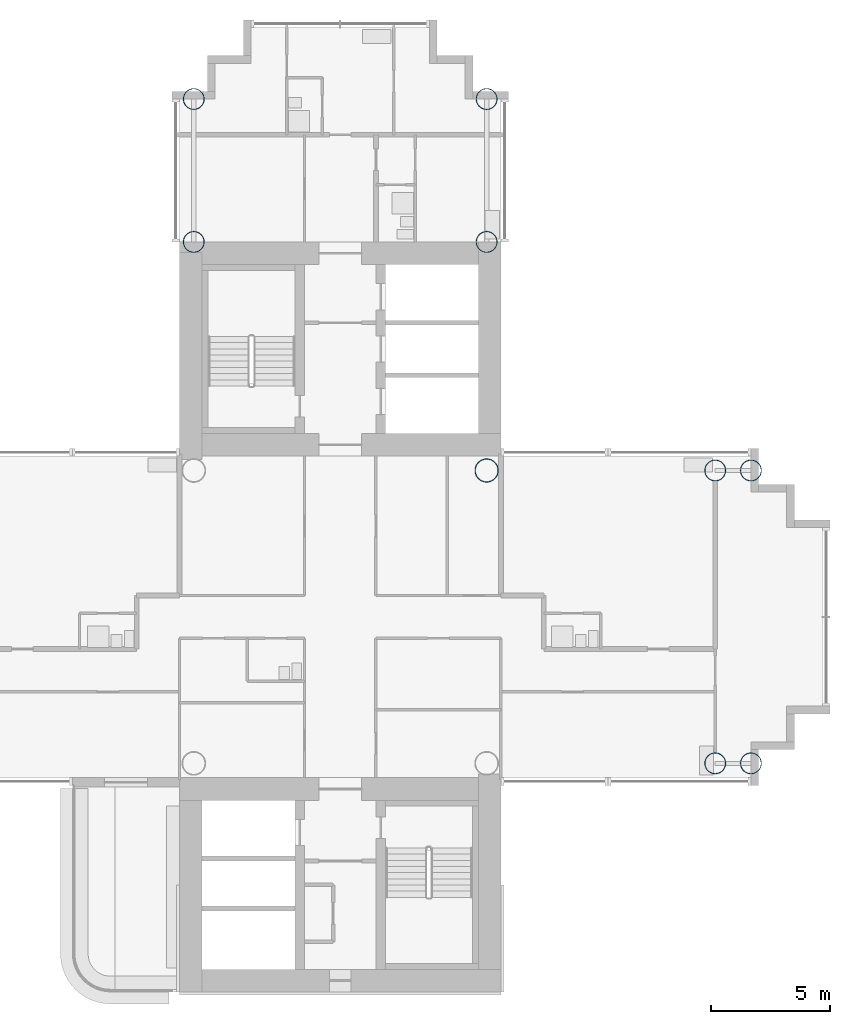
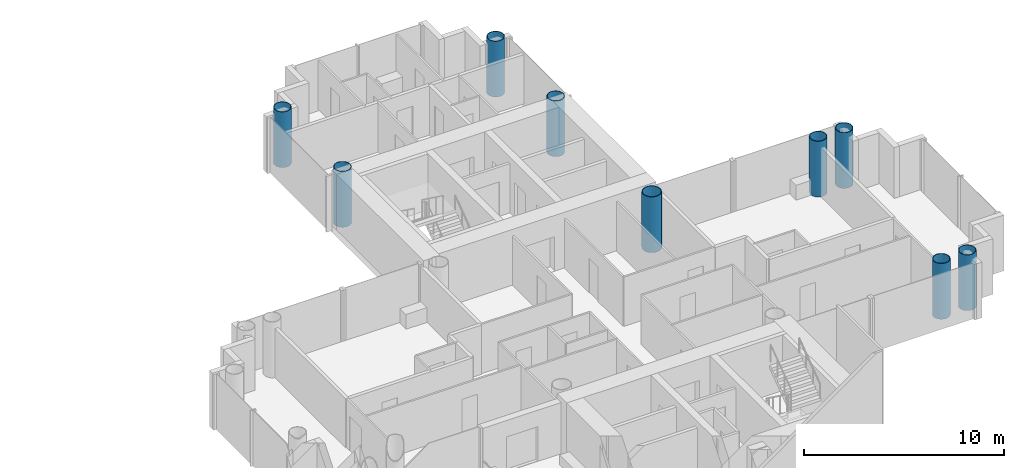
# One storey, part 2 of 21: 9 columns.
"""IFC4 building model written with IfcOpenShell, lengths in metres."""

import ifcopenshell
import ifcopenshell.guid

model = None  # the IFC model being written
_history = None  # IfcOwnerHistory: only IFC2X3 demands one
_inside = {}  # id of a spatial element -> (the spatial element, [elements in it])
_under = {}  # id of a project, library or spatial element -> (it, [spatial elements below it])
_declared = {}  # id of a project -> (the project, [libraries it declares])
_typed = {}  # id of a type object -> (the type object, [elements of that type])
_made_of = {}  # id of a material, layer set ... -> (it, [elements and type objects made of it])


def new_model(schema):
    """Start an empty IFC model of exactly this schema.

    Asked for "IFC4X3", IfcOpenShell would pick the latest addendum, in which some entities
    have other attributes; the version numbers below select the first issue.
    IFC2X3 requires an IfcOwnerHistory on every rooted entity: one is made here for all.
    """
    global model, _history
    if schema == "IFC4X3":
        model = ifcopenshell.file(schema_version=(4, 3, 0, 0))
    else:
        model = ifcopenshell.file(schema=schema)
    _inside.clear()
    _under.clear()
    _declared.clear()
    _typed.clear()
    _made_of.clear()
    _history = None
    if model.schema == "IFC2X3":
        org = make("IfcOrganization", Name="unknown")
        user = make(
            "IfcPersonAndOrganization",
            ThePerson=make("IfcPerson", FamilyName="unknown"),
            TheOrganization=org,
        )
        app = make(
            "IfcApplication",
            ApplicationDeveloper=org,
            Version="unknown",
            ApplicationFullName="unknown",
            ApplicationIdentifier="unknown",
        )
        _history = make(
            "IfcOwnerHistory",
            OwningUser=user,
            OwningApplication=app,
            ChangeAction="ADDED",
            CreationDate=0,
        )
    return model


def make(cls, **values):
    """One entity of the class cls with the attributes given. An attribute that is None is left unset."""
    return model.create_entity(
        cls, **{name: value for name, value in values.items() if value is not None}
    )


def rooted(cls, **values):
    """An entity with a GlobalId (a new one), such as an element, a storey or a relation."""
    return make(cls, GlobalId=ifcopenshell.guid.new(), OwnerHistory=_history, **values)


def si_unit(unit_type, name, prefix=None):
    """IfcSIUnit, for example si_unit("LENGTHUNIT", "METRE", prefix="MILLI")."""
    return make("IfcSIUnit", UnitType=unit_type, Prefix=prefix, Name=name)


def assignment(units):
    """IfcUnitAssignment: the units of a project."""
    return None if units is None else make("IfcUnitAssignment", Units=units)


def point(xyz):
    """IfcCartesianPoint."""
    return None if xyz is None else make("IfcCartesianPoint", Coordinates=xyz)


def direction(xyz):
    """IfcDirection."""
    return None if xyz is None else make("IfcDirection", DirectionRatios=xyz)


def frame(location, z_axis=None, x_axis=None):
    """IfcAxis2Placement3D, a coordinate frame: its origin and axes. An axis left out is left unset."""
    return make(
        "IfcAxis2Placement3D",
        Location=point(location),
        Axis=direction(z_axis),
        RefDirection=direction(x_axis),
    )


def frame_2d(location, x_axis=None):
    """IfcAxis2Placement2D, a coordinate frame in the plane: its origin and x axis."""
    return make(
        "IfcAxis2Placement2D", Location=point(location), RefDirection=direction(x_axis)
    )


def origin():
    """The frame at (0, 0, 0) with its axes left unset."""
    return frame((0.0, 0.0, 0.0))


def origin_2d():
    """The frame at (0, 0) in the plane with its x axis left unset."""
    return frame_2d((0.0, 0.0))


def place(relative_to, where):
    """IfcLocalPlacement: puts the frame where relative to a parent placement (None: the world)."""
    return make(
        "IfcLocalPlacement", PlacementRelTo=relative_to, RelativePlacement=where
    )


def context(
    kind, dimensions, precision=None, world=None, true_north=None, identifier=None
):
    """IfcGeometricRepresentationContext, for example the 3D "Model" context."""
    return make(
        "IfcGeometricRepresentationContext",
        ContextIdentifier=identifier,
        ContextType=kind,
        CoordinateSpaceDimension=dimensions,
        Precision=precision,
        WorldCoordinateSystem=world,
        TrueNorth=true_north,
    )


def subcontext(parent, identifier, kind, view, scale=None):
    """IfcGeometricRepresentationSubContext, for example "Body" below "Model"."""
    return make(
        "IfcGeometricRepresentationSubContext",
        ContextIdentifier=identifier,
        ContextType=kind,
        ParentContext=parent,
        TargetScale=scale,
        TargetView=view,
    )


def project(units=None, contexts=None):
    """IfcProject with its units and contexts."""
    return rooted(
        "IfcProject",
        Name="project",
        RepresentationContexts=contexts,
        UnitsInContext=assignment(units),
    )


def spatial(cls, under=None, at=None, **own):
    """A site, building, storey or space (cls), placed at a placement, below another one or the project."""
    s = rooted(cls, ObjectPlacement=at, **own)
    if under is not None:
        _under.setdefault(under.id(), (under, []))[1].append(s)
    return s


def profile(cls, at=None, kind="AREA", **sizes):
    """A parametric profile (cls). Its sizes go by their IFC names, for example OverallWidth=200.0."""
    return make(cls, ProfileType=kind, Position=at, **sizes)


def hollow_circle(**sizes):
    """IfcCircleHollowProfileDef."""
    return profile("IfcCircleHollowProfileDef", **sizes)


def extrude(swept, where, along, depth):
    """IfcExtrudedAreaSolid: the profile swept, set in the frame where, extruded along a direction by depth."""
    return make(
        "IfcExtrudedAreaSolid",
        SweptArea=swept,
        Position=where,
        ExtrudedDirection=direction(along),
        Depth=depth,
    )


def shape(context_of_items, identifier, shape_type, items):
    """IfcShapeRepresentation: the items that make up one representation, for example the "Body"."""
    return make(
        "IfcShapeRepresentation",
        ContextOfItems=context_of_items,
        RepresentationIdentifier=identifier,
        RepresentationType=shape_type,
        Items=items,
    )


def material(Name=None, Category=None):
    """IfcMaterial."""
    return make("IfcMaterial", Name=Name, Category=Category)


def material_profile(
    of_material, cross_section, Name=None, Category=None, Priority=None
):
    """IfcMaterialProfile: a cross section and its material."""
    return make(
        "IfcMaterialProfile",
        Name=Name,
        Material=of_material,
        Profile=cross_section,
        Priority=Priority,
        Category=Category,
    )


def profile_set(profiles, Name=None, composite=None):
    """IfcMaterialProfileSet."""
    return make(
        "IfcMaterialProfileSet",
        Name=Name,
        MaterialProfiles=profiles,
        CompositeProfile=composite,
    )


def made_of(thing, what):
    """Note that an element or type object is made of a material, layer set ...; save() writes the relation."""
    if what is not None:
        _made_of.setdefault(what.id(), (what, []))[1].append(thing)
    return thing


def type_object(cls, material=None, **own):
    """A type object (cls), such as IfcWallType, which elements share."""
    return made_of(rooted(cls, **own), material)


def element(
    cls,
    number,
    at=None,
    inside=None,
    cuts=None,
    type_object=None,
    material=None,
    context=None,
    identifier="Body",
    shape_type=None,
    held_by="IfcProductDefinitionShape",
    body=None,
    shapes=None,
    **own,
):
    """One element of the class cls, such as IfcWall. Its Tag is "e" and its number.

    at: its placement. inside: the storey or other place that contains it. cuts: it is an
    opening in that element (IfcRelVoidsElement). A single representation is given by context,
    identifier, shape_type and body (its items); several are given by shapes. held_by: the class
    of the entity that holds the representations. save() writes the other relations.
    """
    e = rooted(cls, Tag="e%d" % number, ObjectPlacement=at, **own)
    if body is not None:
        shapes = [shape(context, identifier, shape_type, body)]
    if shapes is not None:
        e.Representation = make(held_by, Representations=shapes)
    if inside is not None:
        _inside.setdefault(inside.id(), (inside, []))[1].append(e)
    if cuts is not None:
        rooted(
            "IfcRelVoidsElement", RelatingBuildingElement=cuts, RelatedOpeningElement=e
        )
    if type_object is not None:
        _typed.setdefault(type_object.id(), (type_object, []))[1].append(e)
    return made_of(e, material)


def aggregate(whole, parts):
    """IfcRelAggregates: a whole, such as a stair, and the parts it consists of."""
    return rooted("IfcRelAggregates", RelatingObject=whole, RelatedObjects=parts)


def save(model, path):
    """Write the relations noted so far, then the file.

    IfcRelAggregates (storeys below a building ...), IfcRelContainedInSpatialStructure (elements
    in a storey), IfcRelDefinesByType, IfcRelAssociatesMaterial and IfcRelDeclares: one each for
    every whole, place, type object, material and project.
    """
    for whole, parts in _under.values():
        aggregate(whole, parts)
    for where, things in _inside.values():
        rooted(
            "IfcRelContainedInSpatialStructure",
            RelatedElements=things,
            RelatingStructure=where,
        )
    for kind, things in _typed.values():
        rooted("IfcRelDefinesByType", RelatedObjects=things, RelatingType=kind)
    for what, things in _made_of.values():
        rooted("IfcRelAssociatesMaterial", RelatedObjects=things, RelatingMaterial=what)
    for by, libraries in _declared.values():
        rooted("IfcRelDeclares", RelatingContext=by, RelatedDefinitions=libraries)
    model.write(path)


model = new_model("IFC4")

# Units and contexts
model_context = context("Model", 3, precision=1e-05, world=origin(), true_north=direction((0.0, 1.0)))
body_context = subcontext(model_context, "Body", "Model", "MODEL_VIEW")
ifc_project = project(units=[si_unit("LENGTHUNIT", "METRE"), si_unit("AREAUNIT", "SQUARE_METRE"), si_unit("VOLUMEUNIT", "CUBIC_METRE"), si_unit("PLANEANGLEUNIT", "RADIAN"), si_unit("MASSUNIT", "GRAM", prefix="KILO")], contexts=[model_context])

# Site, building, storey
site_placement = place(None, origin())
site = spatial("IfcSite", under=ifc_project, at=site_placement, CompositionType="ELEMENT")
building_placement = place(site_placement, origin())
building = spatial("IfcBuilding", under=site, at=building_placement, Name="Ipe Terrace Towers", CompositionType="ELEMENT")
storey_placement = place(building_placement, frame((0.0, 0.0, 83.39990234375)))
storey = spatial("IfcBuildingStorey", under=building, at=storey_placement, Name="L22", CompositionType="ELEMENT", Elevation=83.39990234375)

# Columns
ifc_material_1 = material(Name="Steel S355 tube with Concrete C60/75 fill", Category="concrete")
ifc_material_profile_1 = material_profile(ifc_material_1, hollow_circle(Radius=0.5, WallThickness=0.035888671875, at=origin_2d()), Name="CHS-1000x36")
ifc_profile_set_1 = profile_set([ifc_material_profile_1], Name="Steel S355 tube with Concrete C60/75 fill")
column_type_1 = type_object("IfcColumnType", Name="CH01 COLUMN CHS-1000x36", PredefinedType="COLUMN", material=ifc_profile_set_1)
column_placement = place(storey_placement, frame((42.14990234375, 6.14990234375, 0.0), z_axis=(0.0, 0.0, 1.0), x_axis=(1.0, 0.0, 0.0)))
element("IfcColumn", 1, at=column_placement, inside=storey, type_object=column_type_1, Name="Column T2-C-E02", PredefinedType="COLUMN", context=body_context, shape_type="SweptSolid", body=[
    extrude(hollow_circle(Radius=0.5, WallThickness=0.035888671875, at=origin_2d()), origin(), (0.0, 0.0, 1.0), 3.400146484375),
])
ifc_material_2 = material(Name="Steel S355 tube with Concrete C60/75 fill", Category="concrete")
ifc_material_profile_2 = material_profile(ifc_material_2, hollow_circle(Radius=0.449951171875, WallThickness=0.031982421875, at=origin_2d()), Name="CHS-900x32")
ifc_profile_set_2 = profile_set([ifc_material_profile_2], Name="Steel S355 tube with Concrete C60/75 fill")
column_type_2 = type_object("IfcColumnType", Name="CH10 COLUMN CHS-900x32", PredefinedType="COLUMN", material=ifc_profile_set_2)
for number, where, z_axis, x_axis, name in (
    (2, (42.14990234375, 15.75, 0.0), (0.0, 0.0, 1.0), (1.0, 0.0, 0.0), "Column T2-C-A01"),
    (3, (29.85009765625, 15.75, 0.0), (0.0, 0.0, 1.0), (1.0, 0.0, 0.0), "Column T2-C-A02"),
    (4, (42.14990234375, 21.75, 0.0), (0.0, 0.0, 1.0), (1.0, 0.0, 0.0), "Column T2-C-A03"),
    (5, (29.85009765625, 21.75, 0.0), (0.0, 0.0, 1.0), (1.0, 0.0, 0.0), "Column T2-C-A04"),
    (6, (51.75, -6.14990234375, 0.0), (0.0, 0.0, 1.0), (1.0, 0.0, 0.0), "Column T2-C-D03"),
    (7, (51.75, 6.14990234375, 0.0), (0.0, 0.0, 1.0), (1.0, 0.0, 0.0), "Column T2-C-D04"),
    (8, (53.25, -6.14990234375, 0.0), (0.0, 0.0, 1.0), (1.0, 0.0, 0.0), "Column T2-C-D05"),
    (9, (53.25, 6.14990234375, 0.0), (0.0, 0.0, 1.0), (1.0, 0.0, 0.0), "Column T2-C-D06"),
):
    element("IfcColumn", number, at=place(storey_placement, frame(where, z_axis=z_axis, x_axis=x_axis)), inside=storey, type_object=column_type_2, Name=name, PredefinedType="COLUMN", context=body_context, shape_type="SweptSolid", body=[
        extrude(hollow_circle(Radius=0.449951171875, WallThickness=0.031982421875, at=origin_2d()), origin(), (0.0, 0.0, 1.0), 3.400146484375),
    ])

save(model, "model.ifc")
